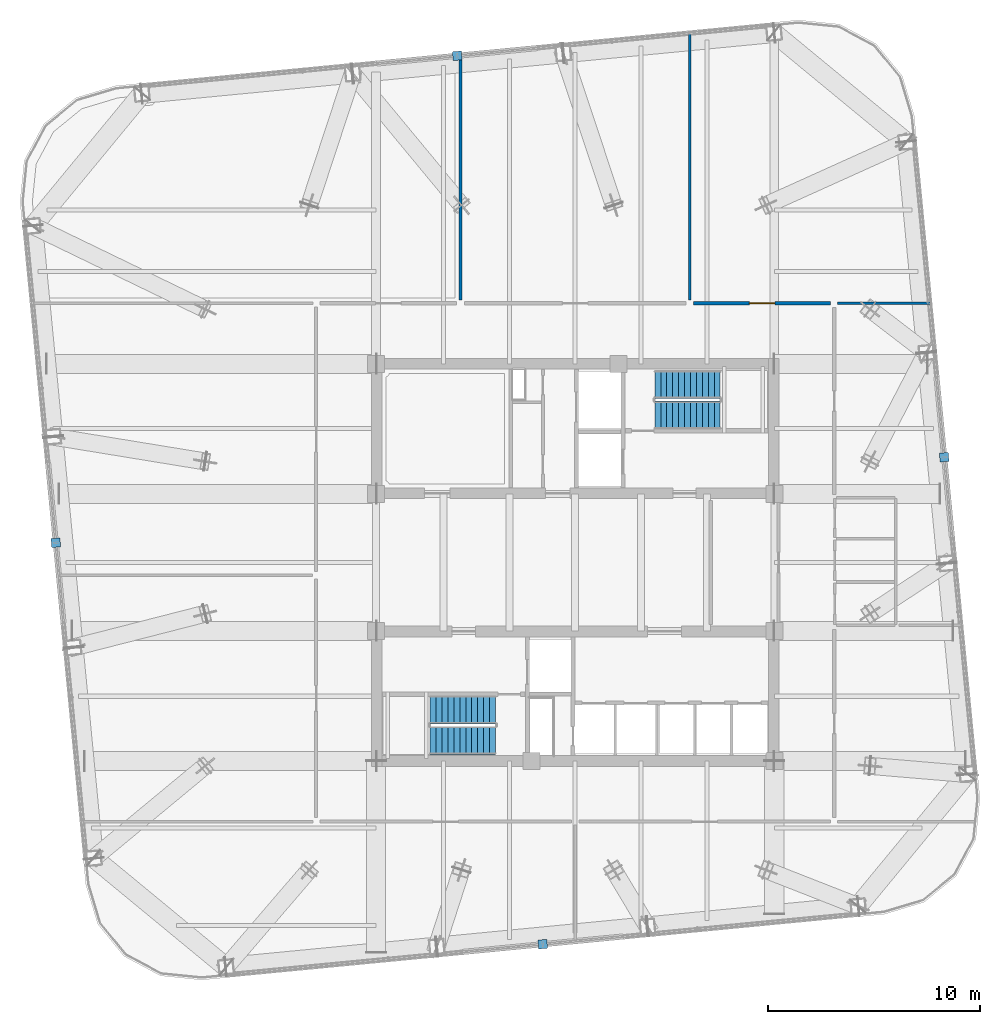
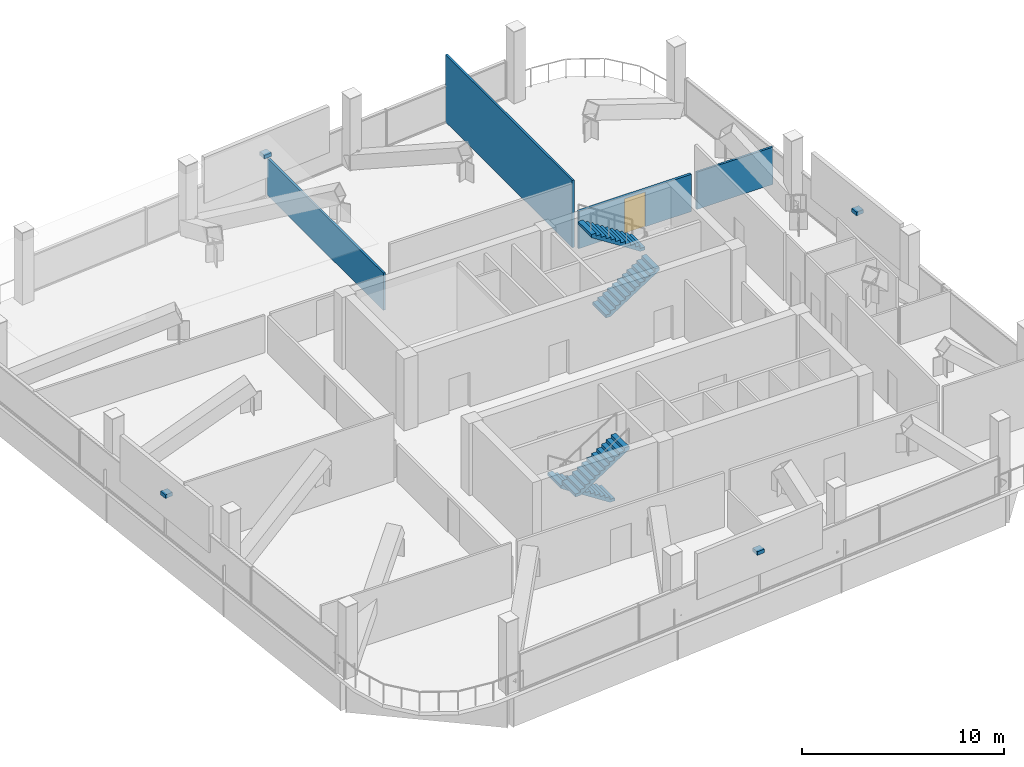
# One storey, part 18 of 22: 4 discrete accessories, 4 stair flights, 4 walls, 1 door, 1 opening, 2 elements without a shape of their own.
"""IFC4 building model written with IfcOpenShell, lengths in metres."""

from ifc_helpers import new_model, si_unit, direction, frame, frame_2d, origin, origin_2d, place, context, subcontext, project, spatial, polyline, rectangle, outline, extrude, material, layer, layer_set, type_object, element, fill, aggregate, save


model = new_model("IFC4")

# Units and contexts
model_context = context("Model", 3, precision=1e-05, world=origin(), true_north=direction((0.0, 1.0)))
body_context = subcontext(model_context, "Body", "Model", "MODEL_VIEW")
ifc_project = project(units=[si_unit("LENGTHUNIT", "METRE"), si_unit("AREAUNIT", "SQUARE_METRE"), si_unit("VOLUMEUNIT", "CUBIC_METRE"), si_unit("PLANEANGLEUNIT", "RADIAN"), si_unit("MASSUNIT", "GRAM", prefix="KILO")], contexts=[model_context])

# Site, building, storey
site_placement = place(None, origin())
site = spatial("IfcSite", under=ifc_project, at=site_placement, CompositionType="ELEMENT")
building_placement = place(site_placement, origin())
building = spatial("IfcBuilding", under=site, at=building_placement, Name="Qhalaya Broadcast Tower", CompositionType="ELEMENT")
storey_placement = place(building_placement, frame((0.0, 0.0, 183.60009765625)))
storey = spatial("IfcBuildingStorey", under=building, at=storey_placement, Name="L54", CompositionType="ELEMENT", Elevation=183.60009765625)

# Wall, opening, door
ifc_material_1 = material(Name="Gypsum Acoustic Partition")
ifc_layer_1 = layer(ifc_material_1, 0.14990234375, Name="Gypsum Acoustic Partition")
ifc_layer_set_1 = layer_set([ifc_layer_1], Name="Gypsum Acoustic Partition")
wall_type_1 = type_object("IfcWallType", Name="Corridor & Tenancy Acoustic Partition 150", PredefinedType="PARTITIONING", material=ifc_layer_set_1)
wall_1_placement = place(storey_placement, frame((5.580078125, 12.800048828125, 0.0), z_axis=(0.0, 0.0, 1.0), x_axis=(1.0, 0.0, 0.0)))
wall_1 = element("IfcWall", 1, at=wall_1_placement, inside=storey, type_object=wall_type_1, Name="L54 Partition Wall W-COR-03", PredefinedType="PARTITIONING", context=body_context, shape_type="SweptSolid", body=[
    extrude(rectangle(XDim=6.43994140625, YDim=0.14990234375, at=frame_2d((3.219970703125, 0.0))), origin(), (0.0, 0.0, 1.0), 2.25),
])
opening_placement = place(wall_1_placement, frame((2.6201171875, 0.0, 0.0)))
opening = element("IfcOpeningElement", 2, at=opening_placement, cuts=wall_1, Name="Opening D11", PredefinedType="OPENING", context=body_context, shape_type="SweptSolid", body=[
    extrude(rectangle(XDim=1.199951171875, YDim=2.10009765625, at=frame_2d((0.60009765625, 1.050048828125))), frame((0.0, 0.0869140625, 0.0), z_axis=(0.0, -1.0, 0.0), x_axis=(1.0, 0.0, 0.0)), (0.0, 0.0, 1.0), 0.173828125),
])
ifc_material_2 = material(Name="Anodised Aluminium Glazed Door", Category="aluminium")
door_type = type_object("IfcDoorType", Name="Conference, Boardroom & Studio Control Door D11", OperationType="NOTDEFINED", PredefinedType="DOOR", material=ifc_material_2)
door_placement = place(opening_placement, origin())
door = element("IfcDoor", 3, at=door_placement, inside=storey, type_object=door_type, Name="L54 Door D-RM03", OperationType="SINGLE_SWING_RIGHT", OverallHeight=2.10009765625, OverallWidth=1.199951171875, PredefinedType="DOOR", context=body_context, shape_type="SweptSolid", body=[
    extrude(rectangle(XDim=1.199951171875, YDim=2.10009765625, at=frame_2d((0.60009765625, 1.050048828125))), frame((0.0, 0.02490234375, 0.0), z_axis=(0.0, -1.0, 0.0), x_axis=(1.0, 0.0, 0.0)), (0.0, 0.0, 1.0), 0.050048828125),
])
fill(opening, door)

# Walls
ifc_layer_2 = layer(ifc_material_1, 0.1201171875, Name="Gypsum Acoustic Partition")
ifc_layer_set_2 = layer_set([ifc_layer_2], Name="Gypsum Acoustic Partition")
wall_type_2 = type_object("IfcWallType", Name="Office, Booth & Sanitary Partition 120", PredefinedType="PARTITIONING", material=ifc_layer_set_2)
wall_2_placement = place(storey_placement, frame((12.340087890625, 12.800048828125, 0.0), z_axis=(0.0, 0.0, 1.0), x_axis=(1.0, 0.0, 0.0)))
element("IfcWall", 4, at=wall_2_placement, inside=storey, type_object=wall_type_2, Name="L54 Partition Wall W-BNDE1", PredefinedType="PARTITIONING", context=body_context, shape_type="SweptSolid", body=[
    extrude(rectangle(XDim=4.35546875, YDim=0.1201171875, at=frame_2d((2.177734375, 0.0))), origin(), (0.0, 0.0, 1.0), 2.25),
])
wall_3_placement = place(storey_placement, frame((-5.39990234375, 12.9599609375, 0.0), z_axis=(0.0, 0.0, 1.0), x_axis=(0.0, 1.0, 0.0)))
element("IfcWall", 5, at=wall_3_placement, inside=storey, type_object=wall_type_2, Name="L54 Partition Wall W-DIVN1", PredefinedType="PARTITIONING", context=body_context, shape_type="SweptSolid", body=[
    extrude(rectangle(XDim=11.528076171875, YDim=0.1201171875, at=frame_2d((5.76416015625, 0.0))), origin(), (0.0, 0.0, 1.0), 2.25),
])
wall_4_placement = place(storey_placement, frame((5.39990234375, 12.9599609375, 0.0), z_axis=(0.0, 0.0, 1.0), x_axis=(0.0, 1.0, 0.0)))
element("IfcWall", 6, at=wall_4_placement, inside=storey, type_object=wall_type_2, Name="L54 Partition Wall W-DIVN2", PredefinedType="PARTITIONING", context=body_context, shape_type="SweptSolid", body=[
    extrude(rectangle(XDim=12.568115234375, YDim=0.1201171875, at=frame_2d((6.2841796875, 0.0))), origin(), (0.0, 0.0, 1.0), 4.06982421875),
])

# Stair, stair flights
ifc_material_3 = material(Name="Concrete C40/50", Category="concrete")
stair_type = type_object("IfcStairType", Name="Protected Dogleg Core Stair 4200", PredefinedType="TWO_STRAIGHT_RUN_STAIR", material=ifc_material_3)
stair_1_placement = place(storey_placement, origin())
stair_1 = element("IfcStair", 7, at=stair_1_placement, inside=storey, type_object=stair_type, Name="L54 North Core Exit Stair ST-1", PredefinedType="TWO_STRAIGHT_RUN_STAIR")
ifc_material_4 = material(Name="Precast Concrete C40/50", Category="concrete")
stair_flight_type = type_object("IfcStairFlightType", Name="Precast Concrete Stair Flight 4200", PredefinedType="STRAIGHT", material=ifc_material_4)
stair_flight_1_placement = place(storey_placement, frame((3.75, 7.5400390625, 0.0), z_axis=(0.0, 0.0, 1.0), x_axis=(1.0, 0.0, 0.0)))
stair_flight_1 = element("IfcStairFlight", 8, at=stair_flight_1_placement, type_object=stair_flight_type, Name="ST-1 flight 1", NumberOfRisers=12, NumberOfTreads=11, PredefinedType="STRAIGHT", RiserHeight=0.18125, TreadLength=0.28, context=body_context, shape_type="SweptSolid", body=[
    extrude(outline(polyline([(0.0, 0.0), (0.0, 0.18115234375), (0.280029296875, 0.18115234375), (0.280029296875, 0.362548828125), (0.56005859375, 0.362548828125), (0.56005859375, 0.543701171875), (0.840087890625, 0.543701171875), (0.840087890625, 0.72509765625), (1.1201171875, 0.72509765625), (1.1201171875, 0.90625), (1.39990234375, 0.90625), (1.39990234375, 1.08740234375), (1.679931640625, 1.08740234375), (1.679931640625, 1.268798828125), (1.9599609375, 1.268798828125), (1.9599609375, 1.449951171875), (2.239990234375, 1.449951171875), (2.239990234375, 1.63134765625), (2.52001953125, 1.63134765625), (2.52001953125, 1.8125), (2.800048828125, 1.8125), (2.800048828125, 1.99365234375), (3.080078125, 1.99365234375), (3.080078125, 2.175048828125), (3.080078125, 1.815185546875), (0.27587890625, 0.0), (0.0, 0.0)])), frame((0.0, 0.66015625, 0.0), z_axis=(0.0, -1.0, 0.0), x_axis=(1.0, 0.0, 0.0)), (0.0, 0.0, 1.0), 1.320068359375),
])
stair_flight_2_placement = place(storey_placement, frame((6.830078125, 8.97998046875, 2.1748046875), z_axis=(0.0, 0.0, 1.0), x_axis=(-1.0, 0.0, 0.0)))
stair_flight_2 = element("IfcStairFlight", 9, at=stair_flight_2_placement, type_object=stair_flight_type, Name="ST-1 flight 2", NumberOfRisers=12, NumberOfTreads=11, PredefinedType="STRAIGHT", RiserHeight=0.18125, TreadLength=0.28, context=body_context, shape_type="SweptSolid", body=[
    extrude(outline(polyline([(0.0, 0.0), (0.0, 0.18115234375), (0.280029296875, 0.18115234375), (0.280029296875, 0.362548828125), (0.56005859375, 0.362548828125), (0.56005859375, 0.543701171875), (0.840087890625, 0.543701171875), (0.840087890625, 0.72509765625), (1.1201171875, 0.72509765625), (1.1201171875, 0.90625), (1.39990234375, 0.90625), (1.39990234375, 1.08740234375), (1.679931640625, 1.08740234375), (1.679931640625, 1.268798828125), (1.9599609375, 1.268798828125), (1.9599609375, 1.449951171875), (2.239990234375, 1.449951171875), (2.239990234375, 1.63134765625), (2.52001953125, 1.63134765625), (2.52001953125, 1.8125), (2.800048828125, 1.8125), (2.800048828125, 1.99365234375), (3.080078125, 1.99365234375), (3.080078125, 2.175048828125), (3.080078125, 1.815185546875), (0.27587890625, 0.0), (0.0, 0.0)])), frame((0.0, 0.66015625, 0.0), z_axis=(0.0, -1.0, 0.0), x_axis=(1.0, 0.0, 0.0)), (0.0, 0.0, 1.0), 1.320068359375),
])
aggregate(stair_1, [stair_flight_1, stair_flight_2])

stair_2_placement = place(storey_placement, origin())
stair_2 = element("IfcStair", 10, at=stair_2_placement, inside=storey, type_object=stair_type, Name="L54 South Core Exit Stair ST-2", PredefinedType="TWO_STRAIGHT_RUN_STAIR")
stair_flight_3_placement = place(storey_placement, frame((-3.75, -6.340087890625, 0.0), z_axis=(0.0, 0.0, 1.0), x_axis=(-1.0, 0.0, 0.0)))
stair_flight_3 = element("IfcStairFlight", 11, at=stair_flight_3_placement, type_object=stair_flight_type, Name="ST-2 flight 1", NumberOfRisers=12, NumberOfTreads=11, PredefinedType="STRAIGHT", RiserHeight=0.18125, TreadLength=0.28, context=body_context, shape_type="SweptSolid", body=[
    extrude(outline(polyline([(0.0, 0.0), (0.0, 0.18115234375), (0.280029296875, 0.18115234375), (0.280029296875, 0.362548828125), (0.56005859375, 0.362548828125), (0.56005859375, 0.543701171875), (0.840087890625, 0.543701171875), (0.840087890625, 0.72509765625), (1.1201171875, 0.72509765625), (1.1201171875, 0.90625), (1.39990234375, 0.90625), (1.39990234375, 1.08740234375), (1.679931640625, 1.08740234375), (1.679931640625, 1.268798828125), (1.9599609375, 1.268798828125), (1.9599609375, 1.449951171875), (2.239990234375, 1.449951171875), (2.239990234375, 1.63134765625), (2.52001953125, 1.63134765625), (2.52001953125, 1.8125), (2.800048828125, 1.8125), (2.800048828125, 1.99365234375), (3.080078125, 1.99365234375), (3.080078125, 2.175048828125), (3.080078125, 1.815185546875), (0.27587890625, 0.0), (0.0, 0.0)])), frame((0.0, 0.66015625, 0.0), z_axis=(0.0, -1.0, 0.0), x_axis=(1.0, 0.0, 0.0)), (0.0, 0.0, 1.0), 1.320068359375),
])
stair_flight_4_placement = place(storey_placement, frame((-6.830078125, -7.780029296875, 2.1748046875), z_axis=(0.0, 0.0, 1.0), x_axis=(1.0, 0.0, 0.0)))
stair_flight_4 = element("IfcStairFlight", 12, at=stair_flight_4_placement, type_object=stair_flight_type, Name="ST-2 flight 2", NumberOfRisers=12, NumberOfTreads=11, PredefinedType="STRAIGHT", RiserHeight=0.18125, TreadLength=0.28, context=body_context, shape_type="SweptSolid", body=[
    extrude(outline(polyline([(0.0, 0.0), (0.0, 0.18115234375), (0.280029296875, 0.18115234375), (0.280029296875, 0.362548828125), (0.56005859375, 0.362548828125), (0.56005859375, 0.543701171875), (0.840087890625, 0.543701171875), (0.840087890625, 0.72509765625), (1.1201171875, 0.72509765625), (1.1201171875, 0.90625), (1.39990234375, 0.90625), (1.39990234375, 1.08740234375), (1.679931640625, 1.08740234375), (1.679931640625, 1.268798828125), (1.9599609375, 1.268798828125), (1.9599609375, 1.449951171875), (2.239990234375, 1.449951171875), (2.239990234375, 1.63134765625), (2.52001953125, 1.63134765625), (2.52001953125, 1.8125), (2.800048828125, 1.8125), (2.800048828125, 1.99365234375), (3.080078125, 1.99365234375), (3.080078125, 2.175048828125), (3.080078125, 1.815185546875), (0.27587890625, 0.0), (0.0, 0.0)])), frame((0.0, 0.66015625, 0.0), z_axis=(0.0, -1.0, 0.0), x_axis=(1.0, 0.0, 0.0)), (0.0, 0.0, 1.0), 1.320068359375),
])
aggregate(stair_2, [stair_flight_3, stair_flight_4])

# Discrete accessories
ifc_material_5 = material(Name="Structural Steel ASTM A572 Grade 50", Category="steel")
discrete_accessory_type = type_object("IfcDiscreteAccessoryType", Name="Facade Baguette Support Bracket BRK-01", PredefinedType="BRACKET", material=ifc_material_5)
for number, where, z_axis, x_axis, name in (
    (13, (-1.5263671875, -17.373291015625, 2.4130859375), (0.0, 0.0, 1.0), (0.995396198367, 0.09584575252, 0.0), "L54 Baguette Support Bracket S"),
    (14, (17.373291015625, 5.5537109375, 2.4130859375), (0.0, 0.0, 1.0), (-0.09584575252, 0.995396198367, 0.0), "L54 Baguette Support Bracket E"),
    (15, (-5.5537109375, 24.453369140625, 2.4130859375), (0.0, 0.0, 1.0), (-0.995396198367, -0.09584575252, 0.0), "L54 Baguette Support Bracket N"),
    (16, (-24.453369140625, 1.5263671875, 2.4130859375), (0.0, 0.0, 1.0), (0.09584575252, -0.995396198367, 0.0), "L54 Baguette Support Bracket W"),
):
    element("IfcDiscreteAccessory", number, at=place(storey_placement, frame(where, z_axis=z_axis, x_axis=x_axis)), inside=storey, type_object=discrete_accessory_type, Name=name, PredefinedType="BRACKET", context=body_context, shape_type="SweptSolid", body=[
        extrude(rectangle(XDim=0.419921875, YDim=0.419921875, at=origin_2d()), origin(), (0.0, 0.0, 1.0), 0.219970703125),
    ])

save(model, "model.ifc")
